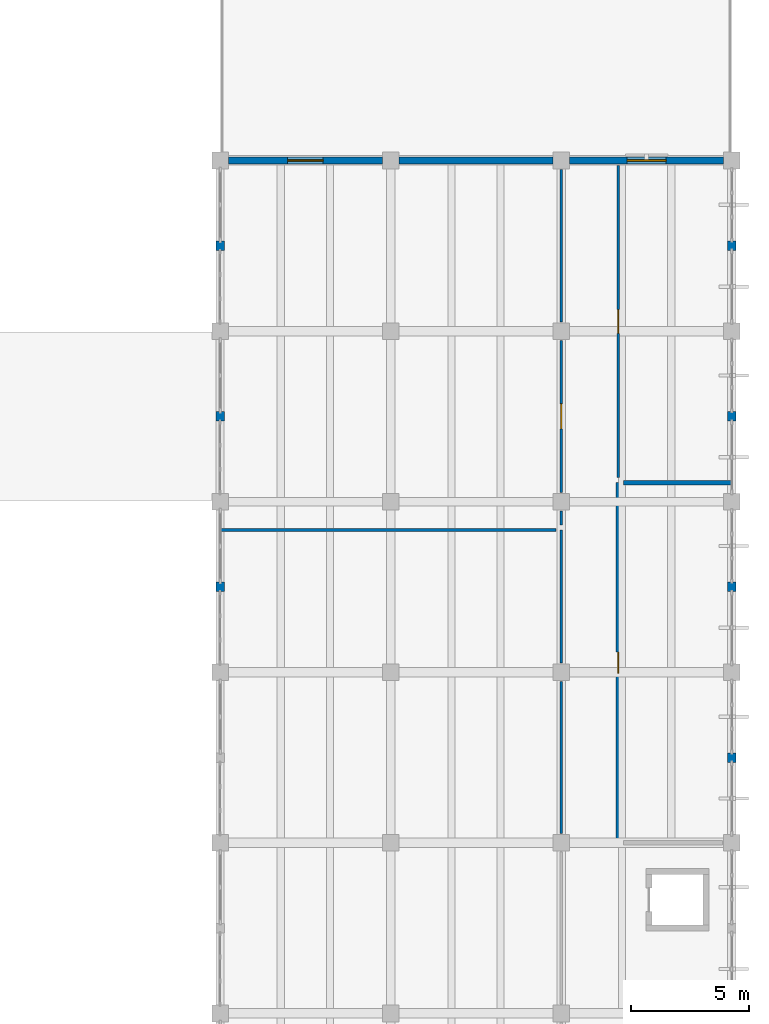
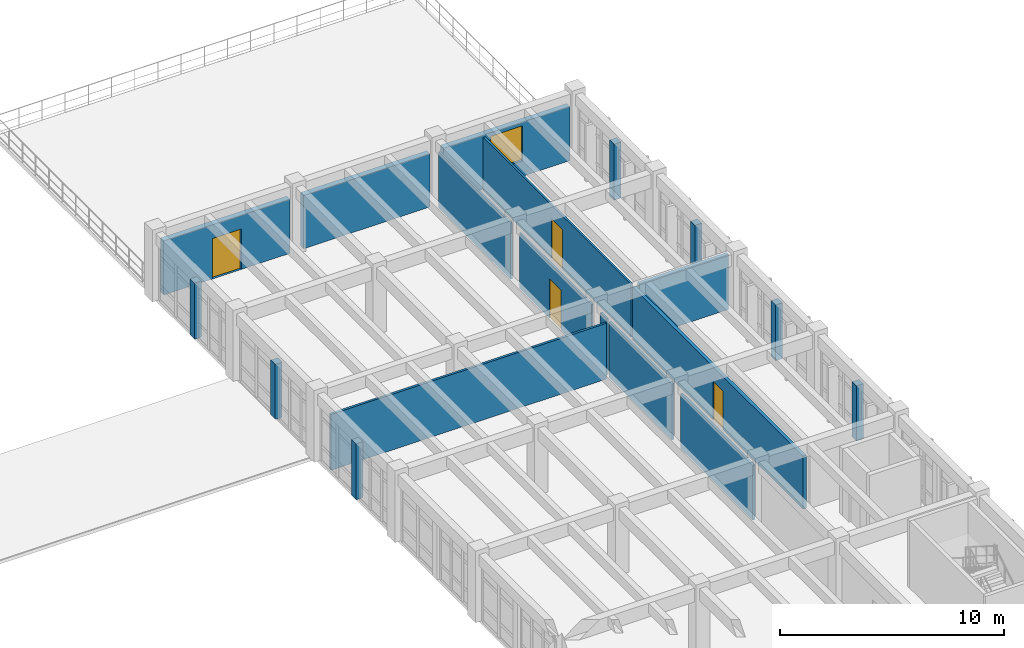
# One storey, part 43 of 54: 19 walls, 4 doors, 1 window, 5 openings.
"""IFC4 building model written with IfcOpenShell, lengths in metres."""

from ifc_helpers import new_model, si_unit, direction, frame, frame_2d, origin, place, context, subcontext, project, spatial, rectangle, extrude, material, layer, layer_set, type_object, element, fill, save


model = new_model("IFC4")

# Units and contexts
model_context = context("Model", 3, precision=1e-05, world=origin(), true_north=direction((0.0, 1.0)))
body_context = subcontext(model_context, "Body", "Model", "MODEL_VIEW")
ifc_project = project(units=[si_unit("LENGTHUNIT", "METRE"), si_unit("AREAUNIT", "SQUARE_METRE"), si_unit("VOLUMEUNIT", "CUBIC_METRE"), si_unit("PLANEANGLEUNIT", "RADIAN"), si_unit("MASSUNIT", "GRAM", prefix="KILO")], contexts=[model_context])

# Site, building, storey
site_placement = place(None, origin())
site = spatial("IfcSite", under=ifc_project, at=site_placement, CompositionType="ELEMENT")
building_placement = place(site_placement, origin())
building = spatial("IfcBuilding", under=site, at=building_placement, Name="Koriwan Promenade Central Fire Station", CompositionType="ELEMENT")
storey_placement = place(building_placement, frame((0.0, 0.0, 9.60009765625)))
storey = spatial("IfcBuildingStorey", under=building, at=storey_placement, Name="L02", CompositionType="ELEMENT", Elevation=9.60009765625)

# Walls
ifc_material_1 = material(Name="Natural sillar sandstone ashlar", Category="masonry")
ifc_layer_1 = layer(ifc_material_1, 0.360107421875, Name="Natural sillar sandstone ashlar")
ifc_layer_set_1 = layer_set([ifc_layer_1], Name="Natural sillar sandstone ashlar")
wall_type_1 = type_object("IfcWallType", Name="ExtWall_SillarBase_360", PredefinedType="SOLIDWALL", material=ifc_layer_set_1)
wall_1_placement = place(storey_placement, frame((151.199951171875, 39.39990234375, 0.0), z_axis=(0.0, 0.0, 1.0), x_axis=(0.0, 1.0, 0.0)))
element("IfcWall", 1, at=wall_1_placement, inside=storey, type_object=wall_type_1, Name="V5 L02 sillar facade mullion pier 273", PredefinedType="SOLIDWALL", context=body_context, shape_type="SweptSolid", body=[
    extrude(rectangle(XDim=0.400146484375, YDim=0.360107421875, at=frame_2d((0.2001953125, 0.0))), origin(), (0.0, 0.0, 1.0), 3.039794921875),
])
wall_2_placement = place(storey_placement, frame((151.199951171875, 46.60009765625, 0.0), z_axis=(0.0, 0.0, 1.0), x_axis=(0.0, 1.0, 0.0)))
element("IfcWall", 2, at=wall_2_placement, inside=storey, type_object=wall_type_1, Name="V5 L02 sillar facade mullion pier 274", PredefinedType="SOLIDWALL", context=body_context, shape_type="SweptSolid", body=[
    extrude(rectangle(XDim=0.39990234375, YDim=0.360107421875, at=frame_2d((0.199951171875, 0.0))), origin(), (0.0, 0.0, 1.0), 3.0),
])
for number, where, z_axis, x_axis, name in (
    (3, (151.199951171875, 53.800048828125, 0.0), (0.0, 0.0, 1.0), (0.0, 1.0, 0.0), "V5 L02 sillar facade mullion pier 275"),
    (4, (172.800048828125, 54.199951171875, 0.0), (0.0, 0.0, 1.0), (0.0, -1.0, 0.0), "V5 L02 sillar facade mullion pier 279"),
):
    element("IfcWall", number, at=place(storey_placement, frame(where, z_axis=z_axis, x_axis=x_axis)), inside=storey, type_object=wall_type_1, Name=name, PredefinedType="SOLIDWALL", context=body_context, shape_type="SweptSolid", body=[
        extrude(rectangle(XDim=0.39990234375, YDim=0.360107421875, at=frame_2d((0.199951171875, 0.0))), origin(), (0.0, 0.0, 1.0), 3.0498046875),
    ])
wall_3_placement = place(storey_placement, frame((172.800048828125, 47.0, 0.0), z_axis=(0.0, 0.0, 1.0), x_axis=(0.0, -1.0, 0.0)))
element("IfcWall", 5, at=wall_3_placement, inside=storey, type_object=wall_type_1, Name="V5 L02 sillar facade mullion pier 280", PredefinedType="SOLIDWALL", context=body_context, shape_type="SweptSolid", body=[
    extrude(rectangle(XDim=0.39990234375, YDim=0.360107421875, at=frame_2d((0.199951171875, 0.0))), origin(), (0.0, 0.0, 1.0), 3.0),
])
wall_4_placement = place(storey_placement, frame((172.800048828125, 39.800048828125, 0.0), z_axis=(0.0, 0.0, 1.0), x_axis=(0.0, -1.0, 0.0)))
element("IfcWall", 6, at=wall_4_placement, inside=storey, type_object=wall_type_1, Name="V5 L02 sillar facade mullion pier 281", PredefinedType="SOLIDWALL", context=body_context, shape_type="SweptSolid", body=[
    extrude(rectangle(XDim=0.400146484375, YDim=0.360107421875, at=frame_2d((0.2001953125, 0.0))), origin(), (0.0, 0.0, 1.0), 3.039794921875),
])
wall_5_placement = place(storey_placement, frame((172.800048828125, 32.60009765625, 0.0), z_axis=(0.0, 0.0, 1.0), x_axis=(0.0, -1.0, 0.0)))
element("IfcWall", 7, at=wall_5_placement, inside=storey, type_object=wall_type_1, Name="V5 L02 sillar facade mullion pier 282", PredefinedType="SOLIDWALL", context=body_context, shape_type="SweptSolid", body=[
    extrude(rectangle(XDim=0.400146484375, YDim=0.360107421875, at=frame_2d((0.2001953125, 0.0))), origin(), (0.0, 0.0, 1.0), 2.989990234375),
])

# Wall, opening, door
ifc_material_2 = material(Name="Precast concrete C40/50", Category="concrete")
ifc_layer_2 = layer(ifc_material_2, 0.280029296875, Name="Precast concrete C40/50")
ifc_layer_set_2 = layer_set([ifc_layer_2], Name="Precast concrete C40/50")
wall_type_2 = type_object("IfcWallType", Name="ExtWall_Terracotta_280", PredefinedType="ELEMENTEDWALL", material=ifc_layer_set_2)
wall_6_placement = place(storey_placement, frame((151.550048828125, 57.60009765625, 0.0), z_axis=(0.0, 0.0, 1.0), x_axis=(1.0, 0.0, 0.0)))
wall_6 = element("IfcWall", 8, at=wall_6_placement, inside=storey, type_object=wall_type_2, Name="V5 L02 exterior wall 276", PredefinedType="ELEMENTEDWALL", context=body_context, shape_type="SweptSolid", body=[
    extrude(rectangle(XDim=6.5, YDim=0.280029296875, at=frame_2d((3.25, 0.0))), origin(), (0.0, 0.0, 1.0), 2.949951171875),
])
opening_1_placement = place(wall_6_placement, frame((2.5, 0.0, 0.0)))
opening_1 = element("IfcOpeningElement", 9, at=opening_1_placement, cuts=wall_6, Name="Opening TD-026", PredefinedType="OPENING", context=body_context, shape_type="SweptSolid", body=[
    extrude(rectangle(XDim=1.5, YDim=2.199951171875, at=frame_2d((0.75, 1.10009765625))), frame((0.0, 0.15185546875, 0.0), z_axis=(0.0, -1.0, 0.0), x_axis=(1.0, 0.0, 0.0)), (0.0, 0.0, 1.0), 0.303955078125),
])
ifc_material_3 = material(Name="Aluminium EN AW-6063-T6 and laminated safety glass", Category="aluminium")
door_type_1 = type_object("IfcDoorType", Name="TerraceDoor_1500x2200", OperationType="DOUBLE_SWING_LEFT", PredefinedType="DOOR", material=ifc_material_3)
door_1_placement = place(opening_1_placement, origin())
door_1 = element("IfcDoor", 10, at=door_1_placement, inside=storey, type_object=door_type_1, Name="V5 L02 Terrace Access Door TD-026", OperationType="DOUBLE_SWING_LEFT", OverallHeight=2.199951171875, OverallWidth=1.5, PredefinedType="DOOR", context=body_context, shape_type="SweptSolid", body=[
    extrude(rectangle(XDim=1.5, YDim=2.199951171875, at=frame_2d((0.75, 1.10009765625))), frame((0.0, 0.02490234375, 0.0), z_axis=(0.0, -1.0, 0.0), x_axis=(1.0, 0.0, 0.0)), (0.0, 0.0, 1.0), 0.050048828125),
])
fill(opening_1, door_1)

# Wall
wall_7_placement = place(storey_placement, frame((158.75, 57.60009765625, 0.0), z_axis=(0.0, 0.0, 1.0), x_axis=(1.0, 0.0, 0.0)))
element("IfcWall", 11, at=wall_7_placement, inside=storey, type_object=wall_type_2, Name="V5 L02 exterior wall 277", PredefinedType="ELEMENTEDWALL", context=body_context, shape_type="SweptSolid", body=[
    extrude(rectangle(XDim=6.5, YDim=0.280029296875, at=frame_2d((3.25, 0.0))), origin(), (0.0, 0.0, 1.0), 2.89990234375),
])

# Wall, opening, window
wall_8_placement = place(storey_placement, frame((165.949951171875, 57.60009765625, 0.0), z_axis=(0.0, 0.0, 1.0), x_axis=(1.0, 0.0, 0.0)))
wall_8 = element("IfcWall", 12, at=wall_8_placement, inside=storey, type_object=wall_type_2, Name="V5 L02 exterior wall 278", PredefinedType="ELEMENTEDWALL", context=body_context, shape_type="SweptSolid", body=[
    extrude(rectangle(XDim=6.5, YDim=0.280029296875, at=frame_2d((3.25, 0.0))), origin(), (0.0, 0.0, 1.0), 2.949951171875),
])
opening_2_placement = place(wall_8_placement, frame((2.425048828125, 0.0, 0.85009765625)))
opening_2 = element("IfcOpeningElement", 13, at=opening_2_placement, cuts=wall_8, Name="Opening W-15", PredefinedType="OPENING", context=body_context, shape_type="SweptSolid", body=[
    extrude(rectangle(XDim=1.64990234375, YDim=1.89990234375, at=frame_2d((0.824951171875, 0.949951171875))), frame((0.0, 0.15185546875, 0.0), z_axis=(0.0, -1.0, 0.0), x_axis=(1.0, 0.0, 0.0)), (0.0, 0.0, 1.0), 0.303955078125),
])
ifc_material_4 = material(Name="Solar-control low-E laminated double glazing", Category="glass")
window_type = type_object("IfcWindowType", Name="Win_Office_1650x1900", PartitioningType="SINGLE_PANEL", PredefinedType="WINDOW", material=ifc_material_4)
window_placement = place(opening_2_placement, origin())
window = element("IfcWindow", 14, at=window_placement, inside=storey, type_object=window_type, Name="V5 L02 window 0098", OverallHeight=1.89990234375, OverallWidth=1.64990234375, PartitioningType="SINGLE_PANEL", PredefinedType="WINDOW", context=body_context, shape_type="SweptSolid", body=[
    extrude(rectangle(XDim=1.64990234375, YDim=1.89990234375, at=frame_2d((0.824951171875, 0.949951171875))), frame((0.0, 0.030029296875, 0.0), z_axis=(0.0, -1.0, 0.0), x_axis=(1.0, 0.0, 0.0)), (0.0, 0.0, 1.0), 0.06005859375),
])
fill(opening_2, window)

# Wall
ifc_material_5 = material(Name="Gypsum board acoustic stud partition", Category="gypsum")
ifc_layer_3 = layer(ifc_material_5, 0.10009765625, Name="Gypsum board acoustic stud partition")
ifc_layer_set_3 = layer_set([ifc_layer_3], Name="Gypsum board acoustic stud partition")
wall_type_3 = type_object("IfcWallType", Name="IntWall_Drywall_100", PredefinedType="PARTITIONING", material=ifc_layer_set_3)
wall_9_placement = place(storey_placement, frame((165.60009765625, 42.219970703125, 0.0), z_axis=(0.0, 0.0, 1.0), x_axis=(0.0, 1.0, 0.0)))
element("IfcWall", 15, at=wall_9_placement, inside=storey, type_object=wall_type_3, Name="Seismic Lifelines Engineering Studio partition E", PredefinedType="PARTITIONING", context=body_context, shape_type="SweptSolid", body=[
    extrude(rectangle(XDim=0.590087890625, YDim=0.10009765625, at=frame_2d((0.294921875, 0.0))), origin(), (0.0, 0.0, 1.0), 3.037841796875),
])

# Wall, opening, door
wall_10_placement = place(storey_placement, frame((165.60009765625, 43.590087890625, 0.0), z_axis=(0.0, 0.0, 1.0), x_axis=(0.0, 1.0, 0.0)))
wall_10 = element("IfcWall", 16, at=wall_10_placement, inside=storey, type_object=wall_type_3, Name="Seismic Lifelines Engineering Studio partition E", PredefinedType="PARTITIONING", context=body_context, shape_type="SweptSolid", body=[
    extrude(rectangle(XDim=6.419921875, YDim=0.10009765625, at=frame_2d((3.2099609375, 0.0))), origin(), (0.0, 0.0, 1.0), 2.997802734375),
])
opening_3_placement = place(wall_10_placement, frame((2.68505859375, 0.0, 0.0)))
opening_3 = element("IfcOpeningElement", 17, at=opening_3_placement, cuts=wall_10, Name="Opening D-170", PredefinedType="OPENING", context=body_context, shape_type="SweptSolid", body=[
    extrude(rectangle(XDim=1.050048828125, YDim=2.14990234375, at=frame_2d((0.52490234375, 1.074951171875))), frame((0.0, 0.06201171875, 0.0), z_axis=(0.0, -1.0, 0.0), x_axis=(1.0, 0.0, 0.0)), (0.0, 0.0, 1.0), 0.1240234375),
])
ifc_material_6 = material(Name="Hardwood veneer solid-core timber", Category="wood")
door_type_2 = type_object("IfcDoorType", Name="RoomDoor_Class_1050x2150", OperationType="NOTDEFINED", PredefinedType="DOOR", material=ifc_material_6)
door_2_placement = place(opening_3_placement, origin())
door_2 = element("IfcDoor", 18, at=door_2_placement, inside=storey, type_object=door_type_2, Name="Seismic Lifelines Engineering Studio Door D-170", OperationType="SINGLE_SWING_RIGHT", OverallHeight=2.14990234375, OverallWidth=1.050048828125, PredefinedType="DOOR", context=body_context, shape_type="SweptSolid", body=[
    extrude(rectangle(XDim=1.050048828125, YDim=2.14990234375, at=frame_2d((0.52490234375, 1.074951171875))), frame((0.0, 0.02490234375, 0.0), z_axis=(0.0, -1.0, 0.0), x_axis=(1.0, 0.0, 0.0)), (0.0, 0.0, 1.0), 0.050048828125),
])
fill(opening_3, door_2)

# Wall
wall_11_placement = place(storey_placement, frame((165.60009765625, 50.7900390625, 0.0), z_axis=(0.0, 0.0, 1.0), x_axis=(0.0, 1.0, 0.0)))
element("IfcWall", 19, at=wall_11_placement, inside=storey, type_object=wall_type_3, Name="Seismic Lifelines Engineering Studio partition E", PredefinedType="PARTITIONING", context=body_context, shape_type="SweptSolid", body=[
    extrude(rectangle(XDim=6.419921875, YDim=0.10009765625, at=frame_2d((3.2099609375, 0.0))), origin(), (0.0, 0.0, 1.0), 3.0478515625),
])

# Wall, opening, door
wall_12_placement = place(storey_placement, frame((168.0, 44.219970703125, 0.0), z_axis=(0.0, 0.0, 1.0), x_axis=(0.0, 1.0, 0.0)))
wall_12 = element("IfcWall", 20, at=wall_12_placement, inside=storey, type_object=wall_type_3, Name="Brigade Training Review Room partition W", PredefinedType="PARTITIONING", context=body_context, shape_type="SweptSolid", body=[
    extrude(rectangle(XDim=13.159912109375, YDim=0.10009765625, at=frame_2d((6.580078125, 0.0))), origin(), (0.0, 0.0, 1.0), 2.89794921875),
])
opening_4_placement = place(wall_12_placement, frame((6.080078125, 0.0, 0.0)))
opening_4 = element("IfcOpeningElement", 21, at=opening_4_placement, cuts=wall_12, Name="Opening D-172", PredefinedType="OPENING", context=body_context, shape_type="SweptSolid", body=[
    extrude(rectangle(XDim=1.0, YDim=2.14990234375, at=frame_2d((0.5, 1.074951171875))), frame((0.0, 0.06201171875, 0.0), z_axis=(0.0, -1.0, 0.0), x_axis=(1.0, 0.0, 0.0)), (0.0, 0.0, 1.0), 0.1240234375),
])
door_type_3 = type_object("IfcDoorType", Name="RoomDoor_Office_1000x2150", OperationType="NOTDEFINED", PredefinedType="DOOR", material=ifc_material_6)
door_3_placement = place(opening_4_placement, origin())
door_3 = element("IfcDoor", 22, at=door_3_placement, inside=storey, type_object=door_type_3, Name="Brigade Training Review Room Door D-172", OperationType="SINGLE_SWING_RIGHT", OverallHeight=2.14990234375, OverallWidth=1.0, PredefinedType="DOOR", context=body_context, shape_type="SweptSolid", body=[
    extrude(rectangle(XDim=1.0, YDim=2.14990234375, at=frame_2d((0.5, 1.074951171875))), frame((0.0, 0.02490234375, 0.0), z_axis=(0.0, -1.0, 0.0), x_axis=(1.0, 0.0, 0.0)), (0.0, 0.0, 1.0), 0.050048828125),
])
fill(opening_4, door_3)

# Walls
ifc_layer_4 = layer(ifc_material_5, 0.1201171875, Name="Gypsum board acoustic stud partition")
ifc_layer_set_4 = layer_set([ifc_layer_4], Name="Gypsum board acoustic stud partition")
wall_type_4 = type_object("IfcWallType", Name="IntWall_Drywall_120", PredefinedType="PARTITIONING", material=ifc_layer_set_4)
wall_13_placement = place(storey_placement, frame((165.60009765625, 29.18994140625, 0.0), z_axis=(0.0, 0.0, 1.0), x_axis=(0.0, 1.0, 0.0)))
element("IfcWall", 23, at=wall_13_placement, inside=storey, type_object=wall_type_4, Name="Community Resilience Planning Office partition E", PredefinedType="PARTITIONING", context=body_context, shape_type="SweptSolid", body=[
    extrude(rectangle(XDim=6.420166015625, YDim=0.1201171875, at=frame_2d((3.2099609375, 0.0))), origin(), (0.0, 0.0, 1.0), 2.98779296875),
])
wall_14_placement = place(storey_placement, frame((165.60009765625, 36.389892578125, 0.0), z_axis=(0.0, 0.0, 1.0), x_axis=(0.0, 1.0, 0.0)))
element("IfcWall", 24, at=wall_14_placement, inside=storey, type_object=wall_type_4, Name="Community Resilience Planning Office partition E", PredefinedType="PARTITIONING", context=body_context, shape_type="SweptSolid", body=[
    extrude(rectangle(XDim=5.610107421875, YDim=0.1201171875, at=frame_2d((2.80517578125, 0.0))), origin(), (0.0, 0.0, 1.0), 3.037841796875),
])
wall_15_placement = place(storey_placement, frame((151.199951171875, 42.0, 0.0), z_axis=(0.0, 0.0, 1.0), x_axis=(1.0, 0.0, 0.0)))
element("IfcWall", 25, at=wall_15_placement, inside=storey, type_object=wall_type_4, Name="Community Resilience Planning Office partition N", PredefinedType="PARTITIONING", context=body_context, shape_type="SweptSolid", body=[
    extrude(rectangle(XDim=14.179931640625, YDim=0.1201171875, at=frame_2d((7.08984375, 0.0))), origin(), (0.0, 0.0, 1.0), 3.037841796875),
])

# Wall, opening, door
ifc_material_7 = material(Name="Moisture-resistant sanitary chase wall", Category="gypsum")
ifc_layer_5 = layer(ifc_material_7, 0.179931640625, Name="Moisture-resistant sanitary chase wall")
ifc_layer_set_5 = layer_set([ifc_layer_5], Name="Moisture-resistant sanitary chase wall")
wall_type_5 = type_object("IfcWallType", Name="IntWall_Plumbing_180", PredefinedType="PLUMBINGWALL", material=ifc_layer_set_5)
wall_16_placement = place(storey_placement, frame((168.0, 28.800048828125, 0.0), z_axis=(0.0, 0.0, 1.0), x_axis=(0.0, 1.0, 0.0)))
wall_16 = element("IfcWall", 26, at=wall_16_placement, inside=storey, type_object=wall_type_5, Name="Headquarters L02 Male Female and Accessible WCs partition W", PredefinedType="PLUMBINGWALL", context=body_context, shape_type="SweptSolid", body=[
    extrude(rectangle(XDim=15.199951171875, YDim=0.179931640625, at=frame_2d((7.60009765625, 0.0))), origin(), (0.0, 0.0, 1.0), 2.887939453125),
])
opening_5_placement = place(wall_16_placement, frame((7.14990234375, 0.0, 0.0)))
opening_5 = element("IfcOpeningElement", 27, at=opening_5_placement, cuts=wall_16, Name="Opening D-171", PredefinedType="OPENING", context=body_context, shape_type="SweptSolid", body=[
    extrude(rectangle(XDim=0.89990234375, YDim=2.10009765625, at=frame_2d((0.449951171875, 1.050048828125))), frame((0.0, 0.10205078125, 0.0), z_axis=(0.0, -1.0, 0.0), x_axis=(1.0, 0.0, 0.0)), (0.0, 0.0, 1.0), 0.203857421875),
])
ifc_material_8 = material(Name="High-pressure laminate moisture-resistant core", Category="wood")
door_type_4 = type_object("IfcDoorType", Name="RoomDoor_WC_900x2100", OperationType="NOTDEFINED", PredefinedType="DOOR", material=ifc_material_8)
door_4_placement = place(opening_5_placement, origin())
door_4 = element("IfcDoor", 28, at=door_4_placement, inside=storey, type_object=door_type_4, Name="Headquarters L02 Male Female and Accessible WCs Door D-171", OperationType="SINGLE_SWING_LEFT", OverallHeight=2.10009765625, OverallWidth=0.89990234375, PredefinedType="DOOR", context=body_context, shape_type="SweptSolid", body=[
    extrude(rectangle(XDim=0.89990234375, YDim=2.10009765625, at=frame_2d((0.449951171875, 1.050048828125))), frame((0.0, 0.02490234375, 0.0), z_axis=(0.0, -1.0, 0.0), x_axis=(1.0, 0.0, 0.0)), (0.0, 0.0, 1.0), 0.050048828125),
])
fill(opening_5, door_4)

# Wall
wall_17_placement = place(storey_placement, frame((168.219970703125, 44.0, 0.0), z_axis=(0.0, 0.0, 1.0), x_axis=(1.0, 0.0, 0.0)))
element("IfcWall", 29, at=wall_17_placement, inside=storey, type_object=wall_type_5, Name="Headquarters L02 Male Female and Accessible WCs partition N", PredefinedType="PLUMBINGWALL", context=body_context, shape_type="SweptSolid", body=[
    extrude(rectangle(XDim=4.580078125, YDim=0.179931640625, at=frame_2d((2.2900390625, 0.0))), origin(), (0.0, 0.0, 1.0), 2.997802734375),
])

save(model, "model.ifc")
